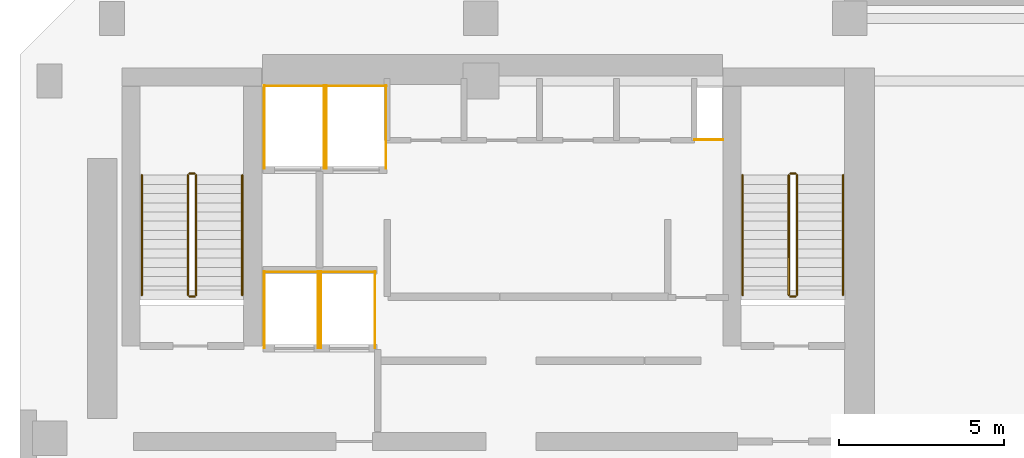
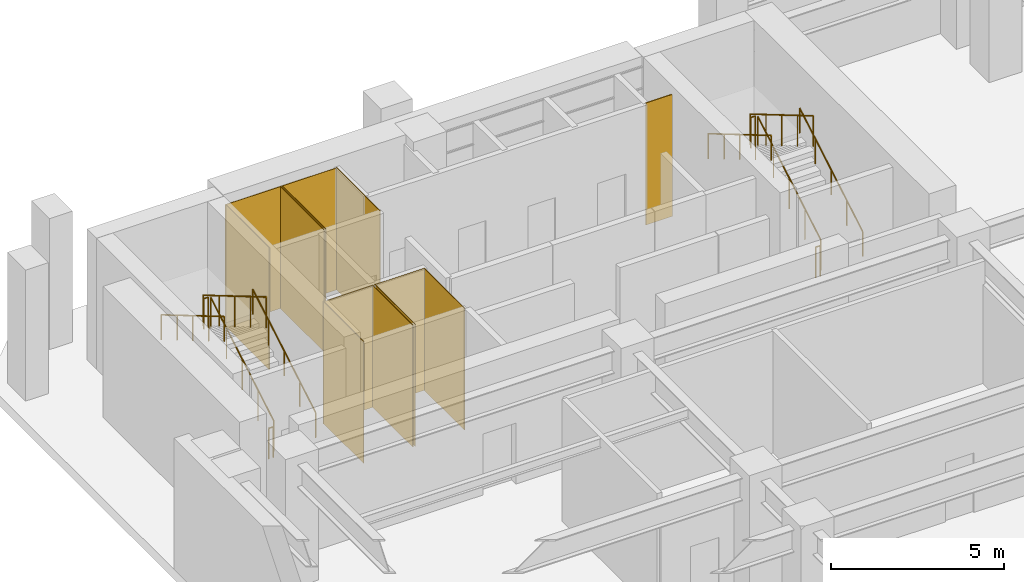
# One storey, part 11 of 12: 13 coverings, 12 railings.
"""IFC4 building model written with IfcOpenShell, lengths in metres."""

import ifcopenshell
import ifcopenshell.guid

model = None  # the IFC model being written
_history = None  # IfcOwnerHistory: only IFC2X3 demands one
_inside = {}  # id of a spatial element -> (the spatial element, [elements in it])
_under = {}  # id of a project, library or spatial element -> (it, [spatial elements below it])
_declared = {}  # id of a project -> (the project, [libraries it declares])
_typed = {}  # id of a type object -> (the type object, [elements of that type])
_made_of = {}  # id of a material, layer set ... -> (it, [elements and type objects made of it])


def new_model(schema):
    """Start an empty IFC model of exactly this schema.

    Asked for "IFC4X3", IfcOpenShell would pick the latest addendum, in which some entities
    have other attributes; the version numbers below select the first issue.
    IFC2X3 requires an IfcOwnerHistory on every rooted entity: one is made here for all.
    """
    global model, _history
    if schema == "IFC4X3":
        model = ifcopenshell.file(schema_version=(4, 3, 0, 0))
    else:
        model = ifcopenshell.file(schema=schema)
    _inside.clear()
    _under.clear()
    _declared.clear()
    _typed.clear()
    _made_of.clear()
    _history = None
    if model.schema == "IFC2X3":
        org = make("IfcOrganization", Name="unknown")
        user = make(
            "IfcPersonAndOrganization",
            ThePerson=make("IfcPerson", FamilyName="unknown"),
            TheOrganization=org,
        )
        app = make(
            "IfcApplication",
            ApplicationDeveloper=org,
            Version="unknown",
            ApplicationFullName="unknown",
            ApplicationIdentifier="unknown",
        )
        _history = make(
            "IfcOwnerHistory",
            OwningUser=user,
            OwningApplication=app,
            ChangeAction="ADDED",
            CreationDate=0,
        )
    return model


def make(cls, **values):
    """One entity of the class cls with the attributes given. An attribute that is None is left unset."""
    return model.create_entity(
        cls, **{name: value for name, value in values.items() if value is not None}
    )


def rooted(cls, **values):
    """An entity with a GlobalId (a new one), such as an element, a storey or a relation."""
    return make(cls, GlobalId=ifcopenshell.guid.new(), OwnerHistory=_history, **values)


def si_unit(unit_type, name, prefix=None):
    """IfcSIUnit, for example si_unit("LENGTHUNIT", "METRE", prefix="MILLI")."""
    return make("IfcSIUnit", UnitType=unit_type, Prefix=prefix, Name=name)


def assignment(units):
    """IfcUnitAssignment: the units of a project."""
    return None if units is None else make("IfcUnitAssignment", Units=units)


def point(xyz):
    """IfcCartesianPoint."""
    return None if xyz is None else make("IfcCartesianPoint", Coordinates=xyz)


def direction(xyz):
    """IfcDirection."""
    return None if xyz is None else make("IfcDirection", DirectionRatios=xyz)


def frame(location, z_axis=None, x_axis=None):
    """IfcAxis2Placement3D, a coordinate frame: its origin and axes. An axis left out is left unset."""
    return make(
        "IfcAxis2Placement3D",
        Location=point(location),
        Axis=direction(z_axis),
        RefDirection=direction(x_axis),
    )


def frame_2d(location, x_axis=None):
    """IfcAxis2Placement2D, a coordinate frame in the plane: its origin and x axis."""
    return make(
        "IfcAxis2Placement2D", Location=point(location), RefDirection=direction(x_axis)
    )


def origin():
    """The frame at (0, 0, 0) with its axes left unset."""
    return frame((0.0, 0.0, 0.0))


def origin_2d():
    """The frame at (0, 0) in the plane with its x axis left unset."""
    return frame_2d((0.0, 0.0))


def place(relative_to, where):
    """IfcLocalPlacement: puts the frame where relative to a parent placement (None: the world)."""
    return make(
        "IfcLocalPlacement", PlacementRelTo=relative_to, RelativePlacement=where
    )


def context(
    kind, dimensions, precision=None, world=None, true_north=None, identifier=None
):
    """IfcGeometricRepresentationContext, for example the 3D "Model" context."""
    return make(
        "IfcGeometricRepresentationContext",
        ContextIdentifier=identifier,
        ContextType=kind,
        CoordinateSpaceDimension=dimensions,
        Precision=precision,
        WorldCoordinateSystem=world,
        TrueNorth=true_north,
    )


def subcontext(parent, identifier, kind, view, scale=None):
    """IfcGeometricRepresentationSubContext, for example "Body" below "Model"."""
    return make(
        "IfcGeometricRepresentationSubContext",
        ContextIdentifier=identifier,
        ContextType=kind,
        ParentContext=parent,
        TargetScale=scale,
        TargetView=view,
    )


def project(units=None, contexts=None):
    """IfcProject with its units and contexts."""
    return rooted(
        "IfcProject",
        Name="project",
        RepresentationContexts=contexts,
        UnitsInContext=assignment(units),
    )


def spatial(cls, under=None, at=None, **own):
    """A site, building, storey or space (cls), placed at a placement, below another one or the project."""
    s = rooted(cls, ObjectPlacement=at, **own)
    if under is not None:
        _under.setdefault(under.id(), (under, []))[1].append(s)
    return s


def polyline(points):
    """IfcPolyline through the points."""
    return make("IfcPolyline", Points=[point(p) for p in points])


def profile(cls, at=None, kind="AREA", **sizes):
    """A parametric profile (cls). Its sizes go by their IFC names, for example OverallWidth=200.0."""
    return make(cls, ProfileType=kind, Position=at, **sizes)


def circle(**sizes):
    """IfcCircleProfileDef."""
    return profile("IfcCircleProfileDef", **sizes)


def outline(outer, holes=None, kind="AREA"):
    """IfcArbitraryClosedProfileDef: a profile drawn as a closed curve; with holes, ...WithVoids."""
    if holes is None:
        return make("IfcArbitraryClosedProfileDef", ProfileType=kind, OuterCurve=outer)
    return make(
        "IfcArbitraryProfileDefWithVoids",
        ProfileType=kind,
        OuterCurve=outer,
        InnerCurves=holes,
    )


def extrude(swept, where, along, depth):
    """IfcExtrudedAreaSolid: the profile swept, set in the frame where, extruded along a direction by depth."""
    return make(
        "IfcExtrudedAreaSolid",
        SweptArea=swept,
        Position=where,
        ExtrudedDirection=direction(along),
        Depth=depth,
    )


def shape(context_of_items, identifier, shape_type, items):
    """IfcShapeRepresentation: the items that make up one representation, for example the "Body"."""
    return make(
        "IfcShapeRepresentation",
        ContextOfItems=context_of_items,
        RepresentationIdentifier=identifier,
        RepresentationType=shape_type,
        Items=items,
    )


def material(Name=None, Category=None):
    """IfcMaterial."""
    return make("IfcMaterial", Name=Name, Category=Category)


def layer(
    of_material, thickness, ventilated=None, Name=None, Category=None, Priority=None
):
    """IfcMaterialLayer: one layer of a wall or slab, of a material (None: an air gap)."""
    return make(
        "IfcMaterialLayer",
        Material=of_material,
        LayerThickness=thickness,
        IsVentilated=ventilated,
        Name=Name,
        Category=Category,
        Priority=Priority,
    )


def layer_set(layers, Name=None):
    """IfcMaterialLayerSet."""
    return make("IfcMaterialLayerSet", MaterialLayers=layers, LayerSetName=Name)


def made_of(thing, what):
    """Note that an element or type object is made of a material, layer set ...; save() writes the relation."""
    if what is not None:
        _made_of.setdefault(what.id(), (what, []))[1].append(thing)
    return thing


def type_object(cls, material=None, **own):
    """A type object (cls), such as IfcWallType, which elements share."""
    return made_of(rooted(cls, **own), material)


def element(
    cls,
    number,
    at=None,
    inside=None,
    cuts=None,
    type_object=None,
    material=None,
    context=None,
    identifier="Body",
    shape_type=None,
    held_by="IfcProductDefinitionShape",
    body=None,
    shapes=None,
    **own,
):
    """One element of the class cls, such as IfcWall. Its Tag is "e" and its number.

    at: its placement. inside: the storey or other place that contains it. cuts: it is an
    opening in that element (IfcRelVoidsElement). A single representation is given by context,
    identifier, shape_type and body (its items); several are given by shapes. held_by: the class
    of the entity that holds the representations. save() writes the other relations.
    """
    e = rooted(cls, Tag="e%d" % number, ObjectPlacement=at, **own)
    if body is not None:
        shapes = [shape(context, identifier, shape_type, body)]
    if shapes is not None:
        e.Representation = make(held_by, Representations=shapes)
    if inside is not None:
        _inside.setdefault(inside.id(), (inside, []))[1].append(e)
    if cuts is not None:
        rooted(
            "IfcRelVoidsElement", RelatingBuildingElement=cuts, RelatedOpeningElement=e
        )
    if type_object is not None:
        _typed.setdefault(type_object.id(), (type_object, []))[1].append(e)
    return made_of(e, material)


def aggregate(whole, parts):
    """IfcRelAggregates: a whole, such as a stair, and the parts it consists of."""
    return rooted("IfcRelAggregates", RelatingObject=whole, RelatedObjects=parts)


def save(model, path):
    """Write the relations noted so far, then the file.

    IfcRelAggregates (storeys below a building ...), IfcRelContainedInSpatialStructure (elements
    in a storey), IfcRelDefinesByType, IfcRelAssociatesMaterial and IfcRelDeclares: one each for
    every whole, place, type object, material and project.
    """
    for whole, parts in _under.values():
        aggregate(whole, parts)
    for where, things in _inside.values():
        rooted(
            "IfcRelContainedInSpatialStructure",
            RelatedElements=things,
            RelatingStructure=where,
        )
    for kind, things in _typed.values():
        rooted("IfcRelDefinesByType", RelatedObjects=things, RelatingType=kind)
    for what, things in _made_of.values():
        rooted("IfcRelAssociatesMaterial", RelatedObjects=things, RelatingMaterial=what)
    for by, libraries in _declared.values():
        rooted("IfcRelDeclares", RelatingContext=by, RelatedDefinitions=libraries)
    model.write(path)


model = new_model("IFC4")

# Units and contexts
model_context = context("Model", 3, precision=1e-05, world=origin(), true_north=direction((0.0, 1.0)))
body_context = subcontext(model_context, "Body", "Model", "MODEL_VIEW")
ifc_project = project(units=[si_unit("LENGTHUNIT", "METRE"), si_unit("AREAUNIT", "SQUARE_METRE"), si_unit("VOLUMEUNIT", "CUBIC_METRE"), si_unit("PLANEANGLEUNIT", "RADIAN"), si_unit("MASSUNIT", "GRAM", prefix="KILO")], contexts=[model_context])

# Site, building, storey
site_placement = place(None, origin())
site = spatial("IfcSite", under=ifc_project, at=site_placement, CompositionType="ELEMENT")
building_placement = place(site_placement, origin())
building = spatial("IfcBuilding", under=site, at=building_placement, Name="Kefirva Bronze Tower", CompositionType="ELEMENT")
storey_placement = place(building_placement, frame((0.0, 0.0, -4.6201171875)))
storey = spatial("IfcBuildingStorey", under=building, at=storey_placement, Name="B1", CompositionType="ELEMENT", Elevation=-4.6201171875)

# Coverings
ifc_material_1 = material(Name="Bronze anodised aluminium", Category="aluminium")
ifc_layer = layer(ifc_material_1, 0.02001953125, Name="Bronze anodised aluminium")
ifc_layer_set = layer_set([ifc_layer], Name="Bronze anodised aluminium")
covering_type = type_object("IfcCoveringType", Name="Anodised Bronze Spandrel Cladding 20mm", PredefinedType="CLADDING", material=ifc_layer_set)
covering_1_placement = place(storey_placement, origin())
element("IfcCovering", 1, at=covering_1_placement, inside=storey, type_object=covering_type, Name="B1 Lift FF1 Hoistway Liner N", PredefinedType="CLADDING", context=body_context, shape_type="SweptSolid", body=[
    extrude(outline(polyline([(5.39990234375, 39.389892578125), (7.080078125, 39.389892578125), (7.080078125, 39.409912109375), (5.39990234375, 39.409912109375), (5.39990234375, 39.389892578125)])), origin(), (0.0, 0.0, 1.0), 4.300048828125),
])
covering_2_placement = place(storey_placement, origin())
element("IfcCovering", 2, at=covering_2_placement, inside=storey, type_object=covering_type, Name="B1 Lift FF1 Hoistway Liner W", PredefinedType="CLADDING", context=body_context, shape_type="SweptSolid", body=[
    extrude(outline(polyline([(5.409912109375, 37.080078125), (5.429931640625, 37.080078125), (5.429931640625, 39.419921875), (5.409912109375, 39.419921875), (5.409912109375, 37.080078125)])), origin(), (0.0, 0.0, 1.0), 4.300048828125),
])
covering_3_placement = place(storey_placement, origin())
element("IfcCovering", 3, at=covering_3_placement, inside=storey, type_object=covering_type, Name="B1 Lift FF1 Hoistway Liner E", PredefinedType="CLADDING", context=body_context, shape_type="SweptSolid", body=[
    extrude(outline(polyline([(7.050048828125, 37.080078125), (7.070068359375, 37.080078125), (7.070068359375, 39.419921875), (7.050048828125, 39.419921875), (7.050048828125, 37.080078125)])), origin(), (0.0, 0.0, 1.0), 4.300048828125),
])
covering_4_placement = place(storey_placement, origin())
element("IfcCovering", 4, at=covering_4_placement, inside=storey, type_object=covering_type, Name="B1 Lift FF2 Hoistway Liner N", PredefinedType="CLADDING", context=body_context, shape_type="SweptSolid", body=[
    extrude(outline(polyline([(7.1201171875, 39.389892578125), (8.800048828125, 39.389892578125), (8.800048828125, 39.409912109375), (7.1201171875, 39.409912109375), (7.1201171875, 39.389892578125)])), origin(), (0.0, 0.0, 1.0), 4.300048828125),
])
covering_5_placement = place(storey_placement, origin())
element("IfcCovering", 5, at=covering_5_placement, inside=storey, type_object=covering_type, Name="B1 Lift FF2 Hoistway Liner W", PredefinedType="CLADDING", context=body_context, shape_type="SweptSolid", body=[
    extrude(outline(polyline([(7.1298828125, 37.080078125), (7.14990234375, 37.080078125), (7.14990234375, 39.419921875), (7.1298828125, 39.419921875), (7.1298828125, 37.080078125)])), origin(), (0.0, 0.0, 1.0), 4.300048828125),
])
covering_6_placement = place(storey_placement, origin())
element("IfcCovering", 6, at=covering_6_placement, inside=storey, type_object=covering_type, Name="B1 Lift FF2 Hoistway Liner E", PredefinedType="CLADDING", context=body_context, shape_type="SweptSolid", body=[
    extrude(outline(polyline([(8.77001953125, 37.080078125), (8.7900390625, 37.080078125), (8.7900390625, 39.419921875), (8.77001953125, 39.419921875), (8.77001953125, 37.080078125)])), origin(), (0.0, 0.0, 1.0), 4.300048828125),
])
covering_7_placement = place(storey_placement, origin())
element("IfcCovering", 7, at=covering_7_placement, inside=storey, type_object=covering_type, Name="B1 Lift SV1 Hoistway Liner N", PredefinedType="CLADDING", context=body_context, shape_type="SweptSolid", body=[
    extrude(outline(polyline([(5.39990234375, 45.0400390625), (7.260009765625, 45.0400390625), (7.260009765625, 45.06005859375), (5.39990234375, 45.06005859375), (5.39990234375, 45.0400390625)])), origin(), (0.0, 0.0, 1.0), 4.300048828125),
])
covering_8_placement = place(storey_placement, origin())
element("IfcCovering", 8, at=covering_8_placement, inside=storey, type_object=covering_type, Name="B1 Lift SV1 Hoistway Liner W", PredefinedType="CLADDING", context=body_context, shape_type="SweptSolid", body=[
    extrude(outline(polyline([(5.409912109375, 42.530029296875), (5.429931640625, 42.530029296875), (5.429931640625, 45.070068359375), (5.409912109375, 45.070068359375), (5.409912109375, 42.530029296875)])), origin(), (0.0, 0.0, 1.0), 4.300048828125),
])
covering_9_placement = place(storey_placement, origin())
element("IfcCovering", 9, at=covering_9_placement, inside=storey, type_object=covering_type, Name="B1 Lift SV1 Hoistway Liner E", PredefinedType="CLADDING", context=body_context, shape_type="SweptSolid", body=[
    extrude(outline(polyline([(7.22998046875, 42.530029296875), (7.25, 42.530029296875), (7.25, 45.070068359375), (7.22998046875, 45.070068359375), (7.22998046875, 42.530029296875)])), origin(), (0.0, 0.0, 1.0), 4.300048828125),
])
covering_10_placement = place(storey_placement, origin())
element("IfcCovering", 10, at=covering_10_placement, inside=storey, type_object=covering_type, Name="B1 Lift SV2 Hoistway Liner N", PredefinedType="CLADDING", context=body_context, shape_type="SweptSolid", body=[
    extrude(outline(polyline([(7.280029296875, 45.0400390625), (9.139892578125, 45.0400390625), (9.139892578125, 45.06005859375), (7.280029296875, 45.06005859375), (7.280029296875, 45.0400390625)])), origin(), (0.0, 0.0, 1.0), 4.300048828125),
])
covering_11_placement = place(storey_placement, origin())
element("IfcCovering", 11, at=covering_11_placement, inside=storey, type_object=covering_type, Name="B1 Lift SV2 Hoistway Liner W", PredefinedType="CLADDING", context=body_context, shape_type="SweptSolid", body=[
    extrude(outline(polyline([(7.2900390625, 42.530029296875), (7.31005859375, 42.530029296875), (7.31005859375, 45.070068359375), (7.2900390625, 45.070068359375), (7.2900390625, 42.530029296875)])), origin(), (0.0, 0.0, 1.0), 4.300048828125),
])
covering_12_placement = place(storey_placement, origin())
element("IfcCovering", 12, at=covering_12_placement, inside=storey, type_object=covering_type, Name="B1 Lift SV2 Hoistway Liner E", PredefinedType="CLADDING", context=body_context, shape_type="SweptSolid", body=[
    extrude(outline(polyline([(9.110107421875, 42.530029296875), (9.1298828125, 42.530029296875), (9.1298828125, 45.070068359375), (9.110107421875, 45.070068359375), (9.110107421875, 42.530029296875)])), origin(), (0.0, 0.0, 1.0), 4.300048828125),
])
covering_13_placement = place(storey_placement, origin())
element("IfcCovering", 13, at=covering_13_placement, inside=storey, type_object=covering_type, Name="B1 Core MEP Riser Shaft Liner South", PredefinedType="CLADDING", context=body_context, shape_type="SweptSolid", body=[
    extrude(outline(polyline([(18.47998046875, 43.39990234375), (19.360107421875, 43.39990234375), (19.360107421875, 43.429931640625), (18.47998046875, 43.429931640625), (18.47998046875, 43.39990234375)])), origin(), (0.0, 0.0, 1.0), 4.300048828125),
])

# Railings
ifc_material_2 = material(Name="Stainless steel 316", Category="steel")
railing_type_1 = type_object("IfcRailingType", Name="Interior Stair Guardrail 1100mm", PredefinedType="GUARDRAIL", material=ifc_material_2)
railing_1_placement = place(storey_placement, frame((3.35009765625, 38.699951171875, 0.1650390625)))
element("IfcRailing", 14, at=railing_1_placement, inside=storey, type_object=railing_type_1, Name="B1 ST-1 stair guard 1", PredefinedType="GUARDRAIL", context=body_context, shape_type="SweptSolid", body=[
    extrude(circle(Radius=0.02392578125, at=origin_2d()), frame((0.0, 0.0, 1.076171875), z_axis=(0.0, 0.861544779993, 0.507681585313), x_axis=(-1.0, 0.0, 0.0)), (0.0, 0.0, 1.0), 4.22509765625),
    extrude(circle(Radius=0.02099609375, at=origin_2d()), origin(), (0.0, 0.0, 1.0), 1.052001953125),
    extrude(circle(Radius=0.02099609375, at=origin_2d()), frame((0.0, 0.91015625, 0.5361328125)), (0.0, 0.0, 1.0), 1.052001953125),
    extrude(circle(Radius=0.02099609375, at=origin_2d()), frame((0.0, 1.820068359375, 1.072509765625)), (0.0, 0.0, 1.0), 1.052001953125),
    extrude(circle(Radius=0.02099609375, at=origin_2d()), frame((0.0, 2.72998046875, 1.60888671875)), (0.0, 0.0, 1.0), 1.052001953125),
    extrude(circle(Radius=0.02099609375, at=origin_2d()), frame((0.0, 3.64013671875, 2.14501953125)), (0.0, 0.0, 1.0), 1.052001953125),
])
railing_2_placement = place(storey_placement, frame((3.300048828125, 42.389892578125, 2.31005859375)))
element("IfcRailing", 15, at=railing_2_placement, inside=storey, type_object=railing_type_1, Name="B1 ST-1 stair guard 2", PredefinedType="GUARDRAIL", context=body_context, shape_type="SweptSolid", body=[
    extrude(circle(Radius=0.02392578125, at=origin_2d()), frame((0.0, 0.0, 1.076171875), z_axis=(-1.0, 0.0, 0.0), x_axis=(0.0, -1.0, 0.0)), (0.0, 0.0, 1.0), 0.150146484375),
    extrude(circle(Radius=0.02099609375, at=origin_2d()), origin(), (0.0, 0.0, 1.0), 1.052001953125),
    extrude(circle(Radius=0.02099609375, at=origin_2d()), frame((-0.150146484375, 0.0, 0.0)), (0.0, 0.0, 1.0), 1.052001953125),
])
railing_3_placement = place(storey_placement, frame((3.10009765625, 42.340087890625, 2.47509765625)))
element("IfcRailing", 16, at=railing_3_placement, inside=storey, type_object=railing_type_1, Name="B1 ST-1 stair guard 3", PredefinedType="GUARDRAIL", context=body_context, shape_type="SweptSolid", body=[
    extrude(circle(Radius=0.02392578125, at=origin_2d()), frame((0.0, 0.0, 1.076171875), z_axis=(0.0, -0.861544779993, 0.507681585313), x_axis=(1.0, 0.0, 0.0)), (0.0, 0.0, 1.0), 4.22509765625),
    extrude(circle(Radius=0.02099609375, at=origin_2d()), origin(), (0.0, 0.0, 1.0), 1.052001953125),
    extrude(circle(Radius=0.02099609375, at=origin_2d()), frame((0.0, -0.91015625, 0.5361328125)), (0.0, 0.0, 1.0), 1.052001953125),
    extrude(circle(Radius=0.02099609375, at=origin_2d()), frame((0.0, -1.820068359375, 1.072509765625)), (0.0, 0.0, 1.0), 1.052001953125),
    extrude(circle(Radius=0.02099609375, at=origin_2d()), frame((0.0, -2.72998046875, 1.60888671875)), (0.0, 0.0, 1.0), 1.052001953125),
    extrude(circle(Radius=0.02099609375, at=origin_2d()), frame((0.0, -3.64013671875, 2.14501953125)), (0.0, 0.0, 1.0), 1.052001953125),
])
railing_4_placement = place(storey_placement, frame((3.300048828125, 38.64990234375, 0.0)))
element("IfcRailing", 17, at=railing_4_placement, inside=storey, type_object=railing_type_1, Name="B1 ST-1 stair guard 4", PredefinedType="GUARDRAIL", context=body_context, shape_type="SweptSolid", body=[
    extrude(circle(Radius=0.02392578125, at=origin_2d()), frame((0.0, 0.0, 1.076171875), z_axis=(-1.0, 0.0, 0.0), x_axis=(0.0, -1.0, 0.0)), (0.0, 0.0, 1.0), 0.150146484375),
    extrude(circle(Radius=0.02099609375, at=origin_2d()), origin(), (0.0, 0.0, 1.0), 1.052001953125),
    extrude(circle(Radius=0.02099609375, at=origin_2d()), frame((-0.150146484375, 0.0, 0.0)), (0.0, 0.0, 1.0), 1.052001953125),
])
railing_5_placement = place(storey_placement, frame((21.60009765625, 38.699951171875, 0.1650390625)))
element("IfcRailing", 18, at=railing_5_placement, inside=storey, type_object=railing_type_1, Name="B1 ST-2 stair guard 1", PredefinedType="GUARDRAIL", context=body_context, shape_type="SweptSolid", body=[
    extrude(circle(Radius=0.02392578125, at=origin_2d()), frame((0.0, 0.0, 1.076171875), z_axis=(0.0, 0.861544779993, 0.507681585313), x_axis=(-1.0, 0.0, 0.0)), (0.0, 0.0, 1.0), 4.22509765625),
    extrude(circle(Radius=0.02099609375, at=origin_2d()), origin(), (0.0, 0.0, 1.0), 1.052001953125),
    extrude(circle(Radius=0.02099609375, at=origin_2d()), frame((0.0, 0.91015625, 0.5361328125)), (0.0, 0.0, 1.0), 1.052001953125),
    extrude(circle(Radius=0.02099609375, at=origin_2d()), frame((0.0, 1.820068359375, 1.072509765625)), (0.0, 0.0, 1.0), 1.052001953125),
    extrude(circle(Radius=0.02099609375, at=origin_2d()), frame((0.0, 2.72998046875, 1.60888671875)), (0.0, 0.0, 1.0), 1.052001953125),
    extrude(circle(Radius=0.02099609375, at=origin_2d()), frame((0.0, 3.64013671875, 2.14501953125)), (0.0, 0.0, 1.0), 1.052001953125),
])
railing_6_placement = place(storey_placement, frame((21.550048828125, 42.389892578125, 2.31005859375)))
element("IfcRailing", 19, at=railing_6_placement, inside=storey, type_object=railing_type_1, Name="B1 ST-2 stair guard 2", PredefinedType="GUARDRAIL", context=body_context, shape_type="SweptSolid", body=[
    extrude(circle(Radius=0.02392578125, at=origin_2d()), frame((0.0, 0.0, 1.076171875), z_axis=(-1.0, 0.0, 0.0), x_axis=(0.0, -1.0, 0.0)), (0.0, 0.0, 1.0), 0.150146484375),
    extrude(circle(Radius=0.02099609375, at=origin_2d()), origin(), (0.0, 0.0, 1.0), 1.052001953125),
    extrude(circle(Radius=0.02099609375, at=origin_2d()), frame((-0.150146484375, 0.0, 0.0)), (0.0, 0.0, 1.0), 1.052001953125),
])
railing_7_placement = place(storey_placement, frame((21.35009765625, 42.340087890625, 2.47509765625)))
element("IfcRailing", 20, at=railing_7_placement, inside=storey, type_object=railing_type_1, Name="B1 ST-2 stair guard 3", PredefinedType="GUARDRAIL", context=body_context, shape_type="SweptSolid", body=[
    extrude(circle(Radius=0.02392578125, at=origin_2d()), frame((0.0, 0.0, 1.076171875), z_axis=(0.0, -0.861544779993, 0.507681585313), x_axis=(1.0, 0.0, 0.0)), (0.0, 0.0, 1.0), 4.22509765625),
    extrude(circle(Radius=0.02099609375, at=origin_2d()), origin(), (0.0, 0.0, 1.0), 1.052001953125),
    extrude(circle(Radius=0.02099609375, at=origin_2d()), frame((0.0, -0.91015625, 0.5361328125)), (0.0, 0.0, 1.0), 1.052001953125),
    extrude(circle(Radius=0.02099609375, at=origin_2d()), frame((0.0, -1.820068359375, 1.072509765625)), (0.0, 0.0, 1.0), 1.052001953125),
    extrude(circle(Radius=0.02099609375, at=origin_2d()), frame((0.0, -2.72998046875, 1.60888671875)), (0.0, 0.0, 1.0), 1.052001953125),
    extrude(circle(Radius=0.02099609375, at=origin_2d()), frame((0.0, -3.64013671875, 2.14501953125)), (0.0, 0.0, 1.0), 1.052001953125),
])
railing_8_placement = place(storey_placement, frame((21.550048828125, 38.64990234375, 0.0)))
element("IfcRailing", 21, at=railing_8_placement, inside=storey, type_object=railing_type_1, Name="B1 ST-2 stair guard 4", PredefinedType="GUARDRAIL", context=body_context, shape_type="SweptSolid", body=[
    extrude(circle(Radius=0.02392578125, at=origin_2d()), frame((0.0, 0.0, 1.076171875), z_axis=(-1.0, 0.0, 0.0), x_axis=(0.0, -1.0, 0.0)), (0.0, 0.0, 1.0), 0.150146484375),
    extrude(circle(Radius=0.02099609375, at=origin_2d()), origin(), (0.0, 0.0, 1.0), 1.052001953125),
    extrude(circle(Radius=0.02099609375, at=origin_2d()), frame((-0.150146484375, 0.0, 0.0)), (0.0, 0.0, 1.0), 1.052001953125),
])
railing_type_2 = type_object("IfcRailingType", Name="Stair Pitch Handrail 900mm", PredefinedType="HANDRAIL", material=ifc_material_2)
railing_9_placement = place(storey_placement, frame((4.75, 38.699951171875, 0.1650390625)))
element("IfcRailing", 22, at=railing_9_placement, inside=storey, type_object=railing_type_2, Name="B1 ST-1 stair handrail 1", PredefinedType="HANDRAIL", context=body_context, shape_type="SweptSolid", body=[
    extrude(circle(Radius=0.02392578125, at=origin_2d()), frame((0.0, 0.0, 0.8759765625), z_axis=(0.0, 0.861544779993, 0.507681585313), x_axis=(-1.0, 0.0, 0.0)), (0.0, 0.0, 1.0), 4.22509765625),
    extrude(circle(Radius=0.02099609375, at=origin_2d()), origin(), (0.0, 0.0, 1.0), 0.851806640625),
    extrude(circle(Radius=0.02099609375, at=origin_2d()), frame((0.0, 0.91015625, 0.5361328125)), (0.0, 0.0, 1.0), 0.851806640625),
    extrude(circle(Radius=0.02099609375, at=origin_2d()), frame((0.0, 1.820068359375, 1.072509765625)), (0.0, 0.0, 1.0), 0.851806640625),
    extrude(circle(Radius=0.02099609375, at=origin_2d()), frame((0.0, 2.72998046875, 1.60888671875)), (0.0, 0.0, 1.0), 0.851806640625),
    extrude(circle(Radius=0.02099609375, at=origin_2d()), frame((0.0, 3.64013671875, 2.14501953125)), (0.0, 0.0, 1.0), 0.851806640625),
])
railing_10_placement = place(storey_placement, frame((1.699951171875, 42.340087890625, 2.47509765625)))
element("IfcRailing", 23, at=railing_10_placement, inside=storey, type_object=railing_type_2, Name="B1 ST-1 stair handrail 2", PredefinedType="HANDRAIL", context=body_context, shape_type="SweptSolid", body=[
    extrude(circle(Radius=0.02392578125, at=origin_2d()), frame((0.0, 0.0, 0.8759765625), z_axis=(0.0, -0.861544779993, 0.507681585313), x_axis=(1.0, 0.0, 0.0)), (0.0, 0.0, 1.0), 4.22509765625),
    extrude(circle(Radius=0.02099609375, at=origin_2d()), origin(), (0.0, 0.0, 1.0), 0.851806640625),
    extrude(circle(Radius=0.02099609375, at=origin_2d()), frame((0.0, -0.91015625, 0.5361328125)), (0.0, 0.0, 1.0), 0.851806640625),
    extrude(circle(Radius=0.02099609375, at=origin_2d()), frame((0.0, -1.820068359375, 1.072509765625)), (0.0, 0.0, 1.0), 0.851806640625),
    extrude(circle(Radius=0.02099609375, at=origin_2d()), frame((0.0, -2.72998046875, 1.60888671875)), (0.0, 0.0, 1.0), 0.851806640625),
    extrude(circle(Radius=0.02099609375, at=origin_2d()), frame((0.0, -3.64013671875, 2.14501953125)), (0.0, 0.0, 1.0), 0.851806640625),
])
railing_11_placement = place(storey_placement, frame((23.0, 38.699951171875, 0.1650390625)))
element("IfcRailing", 24, at=railing_11_placement, inside=storey, type_object=railing_type_2, Name="B1 ST-2 stair handrail 1", PredefinedType="HANDRAIL", context=body_context, shape_type="SweptSolid", body=[
    extrude(circle(Radius=0.02392578125, at=origin_2d()), frame((0.0, 0.0, 0.8759765625), z_axis=(0.0, 0.861544779993, 0.507681585313), x_axis=(-1.0, 0.0, 0.0)), (0.0, 0.0, 1.0), 4.22509765625),
    extrude(circle(Radius=0.02099609375, at=origin_2d()), origin(), (0.0, 0.0, 1.0), 0.851806640625),
    extrude(circle(Radius=0.02099609375, at=origin_2d()), frame((0.0, 0.91015625, 0.5361328125)), (0.0, 0.0, 1.0), 0.851806640625),
    extrude(circle(Radius=0.02099609375, at=origin_2d()), frame((0.0, 1.820068359375, 1.072509765625)), (0.0, 0.0, 1.0), 0.851806640625),
    extrude(circle(Radius=0.02099609375, at=origin_2d()), frame((0.0, 2.72998046875, 1.60888671875)), (0.0, 0.0, 1.0), 0.851806640625),
    extrude(circle(Radius=0.02099609375, at=origin_2d()), frame((0.0, 3.64013671875, 2.14501953125)), (0.0, 0.0, 1.0), 0.851806640625),
])
railing_12_placement = place(storey_placement, frame((19.949951171875, 42.340087890625, 2.47509765625)))
element("IfcRailing", 25, at=railing_12_placement, inside=storey, type_object=railing_type_2, Name="B1 ST-2 stair handrail 2", PredefinedType="HANDRAIL", context=body_context, shape_type="SweptSolid", body=[
    extrude(circle(Radius=0.02392578125, at=origin_2d()), frame((0.0, 0.0, 0.8759765625), z_axis=(0.0, -0.861544779993, 0.507681585313), x_axis=(1.0, 0.0, 0.0)), (0.0, 0.0, 1.0), 4.22509765625),
    extrude(circle(Radius=0.02099609375, at=origin_2d()), origin(), (0.0, 0.0, 1.0), 0.851806640625),
    extrude(circle(Radius=0.02099609375, at=origin_2d()), frame((0.0, -0.91015625, 0.5361328125)), (0.0, 0.0, 1.0), 0.851806640625),
    extrude(circle(Radius=0.02099609375, at=origin_2d()), frame((0.0, -1.820068359375, 1.072509765625)), (0.0, 0.0, 1.0), 0.851806640625),
    extrude(circle(Radius=0.02099609375, at=origin_2d()), frame((0.0, -2.72998046875, 1.60888671875)), (0.0, 0.0, 1.0), 0.851806640625),
    extrude(circle(Radius=0.02099609375, at=origin_2d()), frame((0.0, -3.64013671875, 2.14501953125)), (0.0, 0.0, 1.0), 0.851806640625),
])

save(model, "model.ifc")
